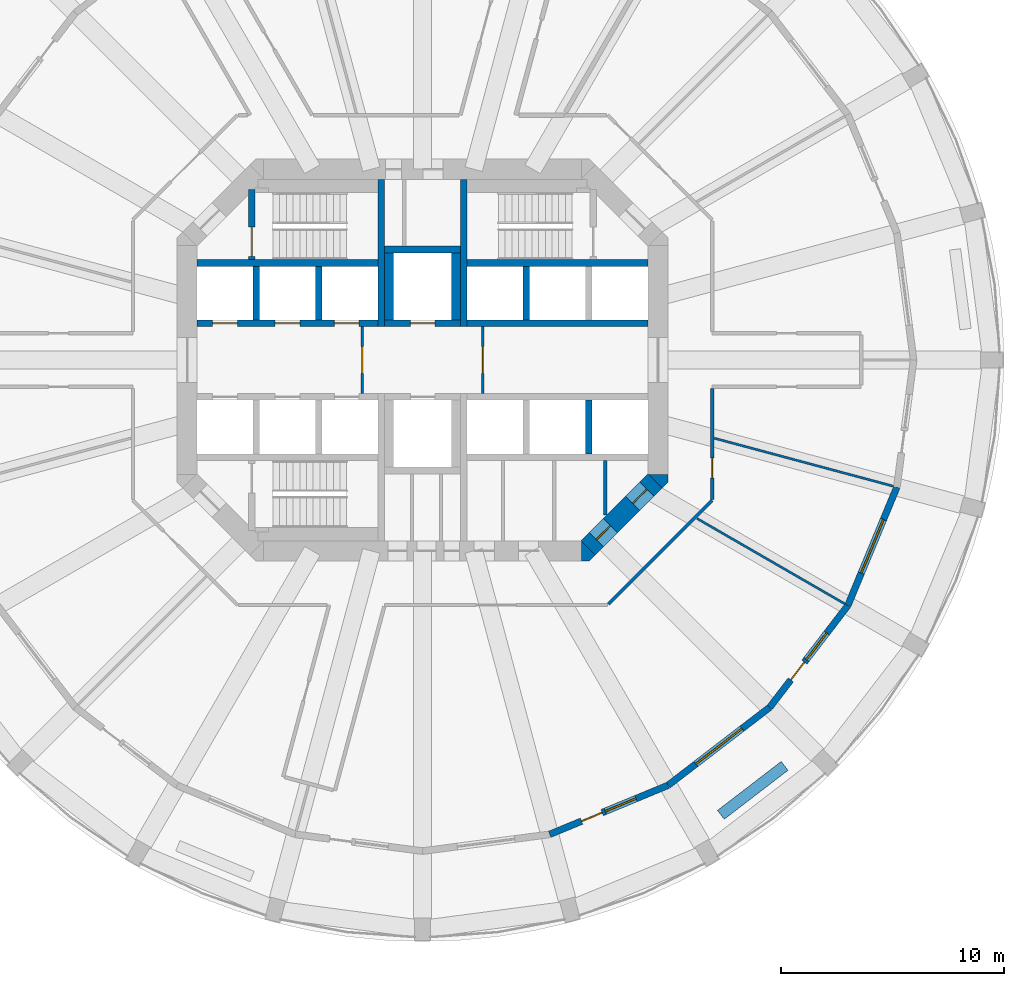
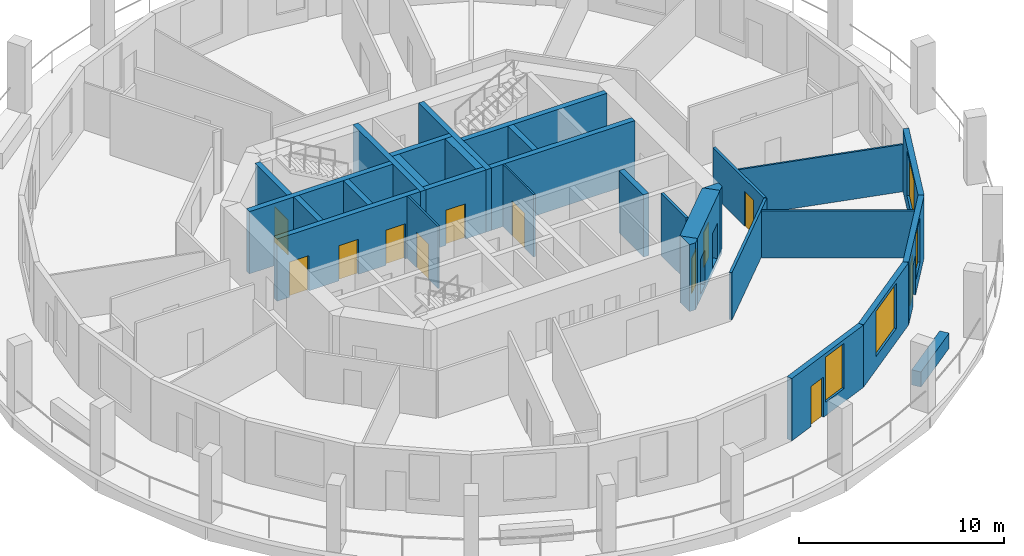
# One storey, part 4 of 9: 30 walls, 12 doors, 4 windows, 16 openings.
"""IFC4 building model written with IfcOpenShell, lengths in metres."""

from ifc_helpers import new_model, si_unit, direction, frame, frame_2d, origin, place, context, subcontext, project, spatial, polyline, rectangle, outline, extrude, material, layer, layer_set, type_object, element, fill, save


model = new_model("IFC4")

# Units and contexts
model_context = context("Model", 3, precision=1e-05, world=origin(), true_north=direction((0.0, 1.0)))
body_context = subcontext(model_context, "Body", "Model", "MODEL_VIEW")
ifc_project = project(units=[si_unit("LENGTHUNIT", "METRE"), si_unit("AREAUNIT", "SQUARE_METRE"), si_unit("VOLUMEUNIT", "CUBIC_METRE"), si_unit("PLANEANGLEUNIT", "RADIAN"), si_unit("MASSUNIT", "GRAM", prefix="KILO")], contexts=[model_context])

# Site, building, storey
site_placement = place(None, origin())
site = spatial("IfcSite", under=ifc_project, at=site_placement, CompositionType="ELEMENT")
building_placement = place(site_placement, origin())
building = spatial("IfcBuilding", under=site, at=building_placement, Name="Torre Triforio", CompositionType="ELEMENT")
storey_placement = place(building_placement, frame((0.0, 0.0, 106.60009765625)))
storey = spatial("IfcBuildingStorey", under=building, at=storey_placement, Name="L23", CompositionType="ELEMENT", Elevation=106.60009765625)

# Walls
ifc_material_1 = material(Name="Concrete C60", Category="concrete")
ifc_layer_1 = layer(ifc_material_1, 0.300048828125)
ifc_layer_set_1 = layer_set([ifc_layer_1], Name="Concrete C60")
wall_type_1 = type_object("IfcWallType", Name="Core wall 300 mm C60 EI 120", PredefinedType="SHEAR", material=ifc_layer_set_1)
for number, where, z_axis, x_axis, name in (
    (1, (-1.85009765625, 1.5, 0.0), (0.0, 0.0, 1.0), (0.0, 1.0, 0.0), "Core wall"),
    (2, (1.85009765625, 1.5, 0.0), (0.0, 0.0, 1.0), (0.0, 1.0, 0.0), "Core wall"),
):
    element("IfcWall", number, at=place(storey_placement, frame(where, z_axis=z_axis, x_axis=x_axis)), inside=storey, type_object=wall_type_1, Name=name, PredefinedType="SHEAR", context=body_context, shape_type="SweptSolid", body=[
        extrude(rectangle(XDim=6.60009765625, YDim=0.300048828125, at=frame_2d((3.300048828125, 0.0))), origin(), (0.0, 0.0, 1.0), 3.719970703125),
    ])

# Wall, openings, doors
ifc_layer_2 = layer(ifc_material_1, 0.89990234375)
ifc_layer_set_2 = layer_set([ifc_layer_2], Name="Concrete C60")
wall_type_2 = type_object("IfcWallType", Name="Core wall 900 mm C60 EI 120", PredefinedType="SHEAR", material=ifc_layer_set_2)
wall_1_placement = place(storey_placement, frame((10.418212890625, -5.418212890625, -0.280029296875), z_axis=(0.0, 0.0, 1.0), x_axis=(-0.707106781187, -0.707106781187, 0.0)))
wall_1 = element("IfcWall", 3, at=wall_1_placement, inside=storey, type_object=wall_type_2, Name="Core wall", PredefinedType="SHEAR", context=body_context, shape_type="SweptSolid", body=[
    extrude(rectangle(XDim=4.24267578125, YDim=0.89990234375, at=frame_2d((2.121337890625, 0.0))), origin(), (0.0, 0.0, 1.0), 4.0),
])
opening_1_placement = place(wall_1_placement, frame((2.82275390625, 0.0, 0.280029296875)))
opening_1 = element("IfcOpeningElement", 4, at=opening_1_placement, cuts=wall_1, Name="Opening SE-03", PredefinedType="OPENING", context=body_context, shape_type="SweptSolid", body=[
    extrude(rectangle(XDim=0.89990234375, YDim=2.10009765625, at=frame_2d((0.449951171875, 1.050048828125))), frame((0.0, 0.4599609375, 0.0), z_axis=(0.0, -1.0, 0.0), x_axis=(1.0, 0.0, 0.0)), (0.0, 0.0, 1.0), 0.919921875),
])
opening_2_placement = place(wall_1_placement, frame((0.52001953125, 0.0, 0.280029296875)))
opening_2 = element("IfcOpeningElement", 5, at=opening_2_placement, cuts=wall_1, Name="Opening SE-04", PredefinedType="OPENING", context=body_context, shape_type="SweptSolid", body=[
    extrude(rectangle(XDim=0.89990234375, YDim=2.10009765625, at=frame_2d((0.449951171875, 1.050048828125))), frame((0.0, 0.4599609375, 0.0), z_axis=(0.0, -1.0, 0.0), x_axis=(1.0, 0.0, 0.0)), (0.0, 0.0, 1.0), 0.919921875),
])
ifc_material_2 = material(Name="Hollow metal fire door leaf")
door_type_1 = type_object("IfcDoorType", Name="Room door 900 x 2100 EI 60", OperationType="NOTDEFINED", PredefinedType="DOOR", material=ifc_material_2)
door_1_placement = place(opening_1_placement, origin())
door_1 = element("IfcDoor", 6, at=door_1_placement, inside=storey, type_object=door_type_1, Name="Core door SE-03", OperationType="SINGLE_SWING_RIGHT", OverallHeight=2.10009765625, OverallWidth=0.89990234375, PredefinedType="DOOR", context=body_context, shape_type="SweptSolid", body=[
    extrude(rectangle(XDim=0.89990234375, YDim=2.10009765625, at=frame_2d((0.449951171875, 1.050048828125))), frame((0.0, 0.02490234375, 0.0), z_axis=(0.0, -1.0, 0.0), x_axis=(1.0, 0.0, 0.0)), (0.0, 0.0, 1.0), 0.050048828125),
])
fill(opening_1, door_1)
door_2_placement = place(opening_2_placement, origin())
door_2 = element("IfcDoor", 7, at=door_2_placement, inside=storey, type_object=door_type_1, Name="Core door SE-04", OperationType="SINGLE_SWING_LEFT", OverallHeight=2.10009765625, OverallWidth=0.89990234375, PredefinedType="DOOR", context=body_context, shape_type="SweptSolid", body=[
    extrude(rectangle(XDim=0.89990234375, YDim=2.10009765625, at=frame_2d((0.449951171875, 1.050048828125))), frame((0.0, 0.02490234375, 0.0), z_axis=(0.0, -1.0, 0.0), x_axis=(1.0, 0.0, 0.0)), (0.0, 0.0, 1.0), 0.050048828125),
])
fill(opening_2, door_2)

# Walls
wall_2_placement = place(storey_placement, frame((0.0, 0.0, -0.280029296875)))
element("IfcWall", 8, at=wall_2_placement, inside=storey, type_object=wall_type_2, Name="Core wall", PredefinedType="SHEAR", context=body_context, shape_type="SweptSolid", body=[
    extrude(outline(polyline([(7.472900390625, -9.0), (7.1298828125, -9.0), (7.1298828125, -8.1298828125), (7.736328125, -8.736328125), (7.472900390625, -9.0)])), origin(), (0.0, 0.0, 1.0), 4.0),
])
wall_3_placement = place(storey_placement, frame((0.0, 0.0, -0.280029296875)))
element("IfcWall", 9, at=wall_3_placement, inside=storey, type_object=wall_type_2, Name="Core wall", PredefinedType="SHEAR", context=body_context, shape_type="SweptSolid", body=[
    extrude(outline(polyline([(11.0, -5.472900390625), (10.736328125, -5.736328125), (10.1298828125, -5.1298828125), (11.0, -5.1298828125), (11.0, -5.472900390625)])), origin(), (0.0, 0.0, 1.0), 4.0),
])

# Wall, opening, door
ifc_material_3 = material(Name="Plasterboard on metal studs")
ifc_layer_3 = layer(ifc_material_3, 0.14990234375)
ifc_layer_set_3 = layer_set([ifc_layer_3], Name="Plasterboard on metal studs")
wall_type_3 = type_object("IfcWallType", Name="Corridor and tenancy wall 150 mm EI 60", PredefinedType="PARTITIONING", material=ifc_layer_set_3)
wall_4_placement = place(storey_placement, frame((12.97509765625, -1.27490234375, 0.0), z_axis=(0.0, 0.0, 1.0), x_axis=(0.0, -1.0, 0.0)))
wall_4 = element("IfcWall", 10, at=wall_4_placement, inside=storey, type_object=wall_type_3, Name="Partition 24", PredefinedType="PARTITIONING", context=body_context, shape_type="SweptSolid", body=[
    extrude(rectangle(XDim=4.96337890625, YDim=0.14990234375, at=frame_2d((2.481689453125, 0.0))), origin(), (0.0, 0.0, 1.0), 2.81982421875),
])
opening_3_placement = place(wall_4_placement, frame((3.107421875, 0.0, 0.0)))
opening_3 = element("IfcOpeningElement", 11, at=opening_3_placement, cuts=wall_4, Name="Opening N7-07", PredefinedType="OPENING", context=body_context, shape_type="SweptSolid", body=[
    extrude(rectangle(XDim=0.89990234375, YDim=2.10009765625, at=frame_2d((0.449951171875, 1.050048828125))), frame((0.0, 0.0849609375, 0.0), z_axis=(0.0, -1.0, 0.0), x_axis=(1.0, 0.0, 0.0)), (0.0, 0.0, 1.0), 0.169921875),
])
ifc_material_4 = material(Name="Timber", Category="wood")
door_type_2 = type_object("IfcDoorType", Name="Door 900 x 2100 single leaf EI 30", OperationType="NOTDEFINED", PredefinedType="DOOR", material=ifc_material_4)
door_3_placement = place(opening_3_placement, origin())
door_3 = element("IfcDoor", 12, at=door_3_placement, inside=storey, type_object=door_type_2, Name="Door N7-07", OperationType="SINGLE_SWING_LEFT", OverallHeight=2.10009765625, OverallWidth=0.89990234375, PredefinedType="DOOR", context=body_context, shape_type="SweptSolid", body=[
    extrude(rectangle(XDim=0.89990234375, YDim=2.10009765625, at=frame_2d((0.449951171875, 1.050048828125))), frame((0.0, 0.02490234375, 0.0), z_axis=(0.0, -1.0, 0.0), x_axis=(1.0, 0.0, 0.0)), (0.0, 0.0, 1.0), 0.050048828125),
])
fill(opening_3, door_3)

# Wall
wall_5_placement = place(storey_placement, frame((12.97509765625, -6.291015625, 0.0), z_axis=(0.0, 0.0, 1.0), x_axis=(-0.707125355289, -0.707088206597, 0.0)))
element("IfcWall", 13, at=wall_5_placement, inside=storey, type_object=wall_type_3, Name="Partition 25", PredefinedType="PARTITIONING", context=body_context, shape_type="SweptSolid", body=[
    extrude(rectangle(XDim=6.572021484375, YDim=0.14990234375, at=frame_2d((3.2861328125, 0.0))), origin(), (0.0, 0.0, 1.0), 2.81982421875),
])

# Wall, opening, door
ifc_material_5 = material(Name="Block and board partition")
ifc_layer_4 = layer(ifc_material_5, 0.10009765625)
ifc_layer_set_4 = layer_set([ifc_layer_4], Name="Block and board partition")
wall_type_4 = type_object("IfcWallType", Name="Partition 100 mm EI 120", PredefinedType="PARTITIONING", material=ifc_layer_set_4)
wall_6_placement = place(storey_placement, frame((-2.699951171875, -1.5, 0.0), z_axis=(0.0, 0.0, 1.0), x_axis=(0.0, 1.0, 0.0)))
wall_6 = element("IfcWall", 14, at=wall_6_placement, inside=storey, type_object=wall_type_4, Name="Partition", PredefinedType="PARTITIONING", context=body_context, shape_type="SweptSolid", body=[
    extrude(rectangle(XDim=3.0, YDim=0.10009765625, at=frame_2d((1.5, 0.0))), origin(), (0.0, 0.0, 1.0), 3.719970703125),
])
opening_4_placement = place(wall_6_placement, frame((0.89990234375, 0.0, 0.0)))
opening_4 = element("IfcOpeningElement", 15, at=opening_4_placement, cuts=wall_6, Name="Opening FF-W", PredefinedType="OPENING", context=body_context, shape_type="SweptSolid", body=[
    extrude(rectangle(XDim=1.199951171875, YDim=2.10009765625, at=frame_2d((0.60009765625, 1.050048828125))), frame((0.0, 0.06005859375, 0.0), z_axis=(0.0, -1.0, 0.0), x_axis=(1.0, 0.0, 0.0)), (0.0, 0.0, 1.0), 0.1201171875),
])
door_type_3 = type_object("IfcDoorType", Name="Fire-fighting lobby door 1200 x 2100 EI 60", OperationType="NOTDEFINED", PredefinedType="DOOR", material=ifc_material_2)
door_4_placement = place(opening_4_placement, origin())
door_4 = element("IfcDoor", 16, at=door_4_placement, inside=storey, type_object=door_type_3, Name="Core door FF-W", OperationType="SINGLE_SWING_RIGHT", OverallHeight=2.10009765625, OverallWidth=1.199951171875, PredefinedType="DOOR", context=body_context, shape_type="SweptSolid", body=[
    extrude(rectangle(XDim=1.199951171875, YDim=2.10009765625, at=frame_2d((0.60009765625, 1.050048828125))), frame((0.0, 0.02490234375, 0.0), z_axis=(0.0, -1.0, 0.0), x_axis=(1.0, 0.0, 0.0)), (0.0, 0.0, 1.0), 0.050048828125),
])
fill(opening_4, door_4)

wall_7_placement = place(storey_placement, frame((2.699951171875, -1.5, 0.0), z_axis=(0.0, 0.0, 1.0), x_axis=(0.0, 1.0, 0.0)))
wall_7 = element("IfcWall", 17, at=wall_7_placement, inside=storey, type_object=wall_type_4, Name="Partition", PredefinedType="PARTITIONING", context=body_context, shape_type="SweptSolid", body=[
    extrude(rectangle(XDim=3.0, YDim=0.10009765625, at=frame_2d((1.5, 0.0))), origin(), (0.0, 0.0, 1.0), 3.719970703125),
])
opening_5_placement = place(wall_7_placement, frame((0.89990234375, 0.0, 0.0)))
opening_5 = element("IfcOpeningElement", 18, at=opening_5_placement, cuts=wall_7, Name="Opening FF-E", PredefinedType="OPENING", context=body_context, shape_type="SweptSolid", body=[
    extrude(rectangle(XDim=1.199951171875, YDim=2.10009765625, at=frame_2d((0.60009765625, 1.050048828125))), frame((0.0, 0.06005859375, 0.0), z_axis=(0.0, -1.0, 0.0), x_axis=(1.0, 0.0, 0.0)), (0.0, 0.0, 1.0), 0.1201171875),
])
door_5_placement = place(opening_5_placement, origin())
door_5 = element("IfcDoor", 19, at=door_5_placement, inside=storey, type_object=door_type_3, Name="Core door FF-E", OperationType="SINGLE_SWING_RIGHT", OverallHeight=2.10009765625, OverallWidth=1.199951171875, PredefinedType="DOOR", context=body_context, shape_type="SweptSolid", body=[
    extrude(rectangle(XDim=1.199951171875, YDim=2.10009765625, at=frame_2d((0.60009765625, 1.050048828125))), frame((0.0, 0.02490234375, 0.0), z_axis=(0.0, -1.0, 0.0), x_axis=(1.0, 0.0, 0.0)), (0.0, 0.0, 1.0), 0.050048828125),
])
fill(opening_5, door_5)

# Walls
ifc_layer_5 = layer(ifc_material_3, 0.10009765625)
ifc_layer_set_5 = layer_set([ifc_layer_5], Name="Plasterboard on metal studs")
wall_type_5 = type_object("IfcWallType", Name="Partition 100 mm board on metal studs", PredefinedType="PARTITIONING", material=ifc_layer_set_5)
wall_8_placement = place(storey_placement, frame((12.294189453125, -7.097900390625, 0.0), z_axis=(0.0, 0.0, 1.0), x_axis=(0.866010520791, -0.500025777215, 0.0)))
element("IfcWall", 20, at=wall_8_placement, inside=storey, type_object=wall_type_5, Name="Partition 43", PredefinedType="PARTITIONING", context=body_context, shape_type="SweptSolid", body=[
    extrude(rectangle(XDim=7.640625, YDim=0.10009765625, at=frame_2d((3.8203125, 0.0))), origin(), (0.0, 0.0, 1.0), 2.81982421875),
])
wall_9_placement = place(storey_placement, frame((13.064208984375, -3.50048828125, 0.0), z_axis=(0.0, 0.0, 1.0), x_axis=(0.965920254223, -0.258839839442, 0.0)))
element("IfcWall", 21, at=wall_9_placement, inside=storey, type_object=wall_type_5, Name="Partition 44", PredefinedType="PARTITIONING", context=body_context, shape_type="SweptSolid", body=[
    extrude(rectangle(XDim=8.3115234375, YDim=0.10009765625, at=frame_2d((4.15576171875, 0.0))), origin(), (0.0, 0.0, 1.0), 2.81982421875),
])
ifc_layer_6 = layer(ifc_material_5, 0.14990234375)
ifc_layer_set_6 = layer_set([ifc_layer_6], Name="Block and board partition")
wall_type_6 = type_object("IfcWallType", Name="Partition 150 mm", PredefinedType="PARTITIONING", material=ifc_layer_set_6)
wall_10_placement = place(storey_placement, frame((8.18896484375, -6.93603515625, 0.0), z_axis=(0.0, 0.0, 1.0), x_axis=(0.0, 1.0, 0.0)))
element("IfcWall", 22, at=wall_10_placement, inside=storey, type_object=wall_type_6, Name="Partition", PredefinedType="PARTITIONING", context=body_context, shape_type="SweptSolid", body=[
    extrude(rectangle(XDim=2.43603515625, YDim=0.14990234375, at=frame_2d((1.218017578125, 0.0))), origin(), (0.0, 0.0, 1.0), 3.719970703125),
])
ifc_material_6 = material(Name="Limestone cladding", Category="masonry")
ifc_layer_7 = layer(ifc_material_6, 0.10009765625)
ifc_material_7 = material(Name="Concrete C40", Category="concrete")
ifc_layer_8 = layer(ifc_material_7, 0.39990234375)
ifc_layer_set_7 = layer_set([ifc_layer_7, ifc_layer_8], Name="Limestone cladding / Concrete C40")
wall_type_7 = type_object("IfcWallType", Name="Planter wall 500", PredefinedType="PARAPET", material=ifc_layer_set_7)
wall_11_placement = place(storey_placement, frame((13.364990234375, -20.374267578125, 0.0), z_axis=(0.0, 0.0, 1.0), x_axis=(0.793326845617, 0.608795955984, 0.0)))
element("IfcWall", 23, at=wall_11_placement, inside=storey, type_object=wall_type_7, Name="Planter L23 bay 21", PredefinedType="PARAPET", context=body_context, shape_type="SweptSolid", body=[
    extrude(rectangle(XDim=3.599853515625, YDim=0.5, at=frame_2d((1.7998046875, 0.0))), origin(), (0.0, 0.0, 1.0), 0.89990234375),
])
ifc_layer_9 = layer(ifc_material_1, 0.300048828125)
ifc_layer_set_8 = layer_set([ifc_layer_9], Name="Concrete C60")
wall_type_8 = type_object("IfcWallType", Name="Shaft wall 300 mm C60 EI 120", PredefinedType="SOLIDWALL", material=ifc_layer_set_8)
for number, where, z_axis, x_axis, name in (
    (24, (-10.10009765625, 4.35009765625, 0.0), (0.0, 0.0, 1.0), (1.0, 0.0, 0.0), "Shaft wall"),
    (25, (2.0, 4.35009765625, 0.0), (0.0, 0.0, 1.0), (1.0, 0.0, 0.0), "Shaft wall"),
):
    element("IfcWall", number, at=place(storey_placement, frame(where, z_axis=z_axis, x_axis=x_axis)), inside=storey, type_object=wall_type_8, Name=name, PredefinedType="SOLIDWALL", context=body_context, shape_type="SweptSolid", body=[
        extrude(rectangle(XDim=8.10009765625, YDim=0.300048828125, at=frame_2d((4.050048828125, 0.0))), origin(), (0.0, 0.0, 1.0), 3.719970703125),
    ])

# Wall, openings, doors
wall_12_placement = place(storey_placement, frame((-10.10009765625, 1.64990234375, 0.0), z_axis=(0.0, 0.0, 1.0), x_axis=(1.0, 0.0, 0.0)))
wall_12 = element("IfcWall", 26, at=wall_12_placement, inside=storey, type_object=wall_type_8, Name="Shaft wall", PredefinedType="SOLIDWALL", context=body_context, shape_type="SweptSolid", body=[
    extrude(rectangle(XDim=8.10009765625, YDim=0.300048828125, at=frame_2d((4.050048828125, 0.0))), origin(), (0.0, 0.0, 1.0), 3.719970703125),
])
opening_6_placement = place(wall_12_placement, frame((0.699951171875, 0.0, 0.0)))
opening_6 = element("IfcOpeningElement", 27, at=opening_6_placement, cuts=wall_12, Name="Opening LD", PredefinedType="OPENING", context=body_context, shape_type="SweptSolid", body=[
    extrude(rectangle(XDim=1.10009765625, YDim=2.10009765625, at=frame_2d((0.550048828125, 1.050048828125))), frame((0.0, 0.159912109375, 0.0), z_axis=(0.0, -1.0, 0.0), x_axis=(1.0, 0.0, 0.0)), (0.0, 0.0, 1.0), 0.320068359375),
])
opening_7_placement = place(wall_12_placement, frame((3.5, 0.0, 0.0)))
opening_7 = element("IfcOpeningElement", 28, at=opening_7_placement, cuts=wall_12, Name="Opening LD", PredefinedType="OPENING", context=body_context, shape_type="SweptSolid", body=[
    extrude(rectangle(XDim=1.10009765625, YDim=2.10009765625, at=frame_2d((0.550048828125, 1.050048828125))), frame((0.0, 0.159912109375, 0.0), z_axis=(0.0, -1.0, 0.0), x_axis=(1.0, 0.0, 0.0)), (0.0, 0.0, 1.0), 0.320068359375),
])
opening_8_placement = place(wall_12_placement, frame((6.14990234375, 0.0, 0.0)))
opening_8 = element("IfcOpeningElement", 29, at=opening_8_placement, cuts=wall_12, Name="Opening LD", PredefinedType="OPENING", context=body_context, shape_type="SweptSolid", body=[
    extrude(rectangle(XDim=1.10009765625, YDim=2.10009765625, at=frame_2d((0.550048828125, 1.050048828125))), frame((0.0, 0.159912109375, 0.0), z_axis=(0.0, -1.0, 0.0), x_axis=(1.0, 0.0, 0.0)), (0.0, 0.0, 1.0), 0.320068359375),
])
door_type_4 = type_object("IfcDoorType", Name="Landing door 1100 x 2100 EI 60", OperationType="DOUBLE_DOOR_SLIDING", PredefinedType="DOOR", material=ifc_material_2)
door_6_placement = place(opening_6_placement, origin())
door_6 = element("IfcDoor", 30, at=door_6_placement, inside=storey, type_object=door_type_4, Name="Landing door LR1", OperationType="DOUBLE_DOOR_SLIDING", OverallHeight=2.10009765625, OverallWidth=1.10009765625, PredefinedType="DOOR", context=body_context, shape_type="SweptSolid", body=[
    extrude(rectangle(XDim=1.10009765625, YDim=2.10009765625, at=frame_2d((0.550048828125, 1.050048828125))), frame((0.0, 0.02490234375, 0.0), z_axis=(0.0, -1.0, 0.0), x_axis=(1.0, 0.0, 0.0)), (0.0, 0.0, 1.0), 0.050048828125),
])
fill(opening_6, door_6)
door_7_placement = place(opening_7_placement, origin())
door_7 = element("IfcDoor", 31, at=door_7_placement, inside=storey, type_object=door_type_4, Name="Landing door LR2", OperationType="DOUBLE_DOOR_SLIDING", OverallHeight=2.10009765625, OverallWidth=1.10009765625, PredefinedType="DOOR", context=body_context, shape_type="SweptSolid", body=[
    extrude(rectangle(XDim=1.10009765625, YDim=2.10009765625, at=frame_2d((0.550048828125, 1.050048828125))), frame((0.0, 0.02490234375, 0.0), z_axis=(0.0, -1.0, 0.0), x_axis=(1.0, 0.0, 0.0)), (0.0, 0.0, 1.0), 0.050048828125),
])
fill(opening_7, door_7)
door_8_placement = place(opening_8_placement, origin())
door_8 = element("IfcDoor", 32, at=door_8_placement, inside=storey, type_object=door_type_4, Name="Landing door LR3", OperationType="DOUBLE_DOOR_SLIDING", OverallHeight=2.10009765625, OverallWidth=1.10009765625, PredefinedType="DOOR", context=body_context, shape_type="SweptSolid", body=[
    extrude(rectangle(XDim=1.10009765625, YDim=2.10009765625, at=frame_2d((0.550048828125, 1.050048828125))), frame((0.0, 0.02490234375, 0.0), z_axis=(0.0, -1.0, 0.0), x_axis=(1.0, 0.0, 0.0)), (0.0, 0.0, 1.0), 0.050048828125),
])
fill(opening_8, door_8)

# Walls
wall_13_placement = place(storey_placement, frame((2.0, 1.64990234375, 0.0), z_axis=(0.0, 0.0, 1.0), x_axis=(1.0, 0.0, 0.0)))
element("IfcWall", 33, at=wall_13_placement, inside=storey, type_object=wall_type_8, Name="Shaft wall", PredefinedType="SOLIDWALL", context=body_context, shape_type="SweptSolid", body=[
    extrude(rectangle(XDim=8.10009765625, YDim=0.300048828125, at=frame_2d((4.050048828125, 0.0))), origin(), (0.0, 0.0, 1.0), 3.719970703125),
])
for number, where, z_axis, x_axis, name in (
    (34, (-7.449951171875, 1.800048828125, 0.0), (0.0, 0.0, 1.0), (0.0, 1.0, 0.0), "Shaft wall"),
    (35, (-4.64990234375, 1.800048828125, 0.0), (0.0, 0.0, 1.0), (0.0, 1.0, 0.0), "Shaft wall"),
    (36, (4.64990234375, 1.800048828125, 0.0), (0.0, 0.0, 1.0), (0.0, 1.0, 0.0), "Shaft wall"),
    (37, (7.449951171875, -4.199951171875, 0.0), (0.0, 0.0, 1.0), (0.0, 1.0, 0.0), "Shaft wall"),
):
    element("IfcWall", number, at=place(storey_placement, frame(where, z_axis=z_axis, x_axis=x_axis)), inside=storey, type_object=wall_type_8, Name=name, PredefinedType="SOLIDWALL", context=body_context, shape_type="SweptSolid", body=[
        extrude(rectangle(XDim=2.39990234375, YDim=0.300048828125, at=frame_2d((1.199951171875, 0.0))), origin(), (0.0, 0.0, 1.0), 3.719970703125),
    ])

# Wall, opening, door
wall_14_placement = place(storey_placement, frame((-1.699951171875, 1.64990234375, 0.0), z_axis=(0.0, 0.0, 1.0), x_axis=(1.0, 0.0, 0.0)))
wall_14 = element("IfcWall", 38, at=wall_14_placement, inside=storey, type_object=wall_type_8, Name="Shaft wall", PredefinedType="SOLIDWALL", context=body_context, shape_type="SweptSolid", body=[
    extrude(rectangle(XDim=3.39990234375, YDim=0.300048828125, at=frame_2d((1.699951171875, 0.0))), origin(), (0.0, 0.0, 1.0), 3.719970703125),
])
opening_9_placement = place(wall_14_placement, frame((1.14990234375, 0.0, 0.0)))
opening_9 = element("IfcOpeningElement", 39, at=opening_9_placement, cuts=wall_14, Name="Opening LD", PredefinedType="OPENING", context=body_context, shape_type="SweptSolid", body=[
    extrude(rectangle(XDim=1.10009765625, YDim=2.10009765625, at=frame_2d((0.550048828125, 1.050048828125))), frame((0.0, 0.159912109375, 0.0), z_axis=(0.0, -1.0, 0.0), x_axis=(1.0, 0.0, 0.0)), (0.0, 0.0, 1.0), 0.320068359375),
])
door_9_placement = place(opening_9_placement, origin())
door_9 = element("IfcDoor", 40, at=door_9_placement, inside=storey, type_object=door_type_4, Name="Landing door FFL1", OperationType="DOUBLE_DOOR_SLIDING", OverallHeight=2.10009765625, OverallWidth=1.10009765625, PredefinedType="DOOR", context=body_context, shape_type="SweptSolid", body=[
    extrude(rectangle(XDim=1.10009765625, YDim=2.10009765625, at=frame_2d((0.550048828125, 1.050048828125))), frame((0.0, 0.02490234375, 0.0), z_axis=(0.0, -1.0, 0.0), x_axis=(1.0, 0.0, 0.0)), (0.0, 0.0, 1.0), 0.050048828125),
])
fill(opening_9, door_9)

# Walls
wall_15_placement = place(storey_placement, frame((-1.699951171875, 4.949951171875, 0.0), z_axis=(0.0, 0.0, 1.0), x_axis=(1.0, 0.0, 0.0)))
element("IfcWall", 41, at=wall_15_placement, inside=storey, type_object=wall_type_8, Name="Shaft wall", PredefinedType="SOLIDWALL", context=body_context, shape_type="SweptSolid", body=[
    extrude(rectangle(XDim=3.39990234375, YDim=0.300048828125, at=frame_2d((1.699951171875, 0.0))), origin(), (0.0, 0.0, 1.0), 3.719970703125),
])
ifc_layer_10 = layer(ifc_material_1, 0.39990234375)
ifc_layer_set_9 = layer_set([ifc_layer_10], Name="Concrete C60")
wall_type_9 = type_object("IfcWallType", Name="Shaft wall 400 mm C60 EI 120", PredefinedType="SOLIDWALL", material=ifc_layer_set_9)
for number, where, z_axis, x_axis, name in (
    (42, (-1.5, 1.800048828125, 0.0), (0.0, 0.0, 1.0), (0.0, 1.0, 0.0), "Shaft wall"),
    (43, (1.5, 1.800048828125, 0.0), (0.0, 0.0, 1.0), (0.0, 1.0, 0.0), "Shaft wall"),
):
    element("IfcWall", number, at=place(storey_placement, frame(where, z_axis=z_axis, x_axis=x_axis)), inside=storey, type_object=wall_type_9, Name=name, PredefinedType="SOLIDWALL", context=body_context, shape_type="SweptSolid", body=[
        extrude(rectangle(XDim=3.0, YDim=0.39990234375, at=frame_2d((1.5, 0.0))), origin(), (0.0, 0.0, 1.0), 3.719970703125),
    ])

# Wall, opening, door
ifc_layer_11 = layer(ifc_material_1, 0.300048828125)
ifc_layer_set_10 = layer_set([ifc_layer_11], Name="Concrete C60")
wall_type_10 = type_object("IfcWallType", Name="Stair wall 300 mm C60 EI 120", PredefinedType="SHEAR", material=ifc_layer_set_10)
wall_16_placement = place(storey_placement, frame((-7.64990234375, 4.5, 0.0), z_axis=(0.0, 0.0, 1.0), x_axis=(0.0, 1.0, 0.0)))
wall_16 = element("IfcWall", 44, at=wall_16_placement, inside=storey, type_object=wall_type_10, Name="Stair wall", PredefinedType="SHEAR", context=body_context, shape_type="SweptSolid", body=[
    extrude(rectangle(XDim=3.139892578125, YDim=0.300048828125, at=frame_2d((1.56982421875, 0.0))), origin(), (0.0, 0.0, 1.0), 3.719970703125),
])
opening_10_placement = place(wall_16_placement, frame((0.139892578125, 0.0, 0.0)))
opening_10 = element("IfcOpeningElement", 45, at=opening_10_placement, cuts=wall_16, Name="Opening ST1-STA", PredefinedType="OPENING", context=body_context, shape_type="SweptSolid", body=[
    extrude(rectangle(XDim=1.320068359375, YDim=2.10009765625, at=frame_2d((0.66015625, 1.050048828125))), frame((0.0, 0.159912109375, 0.0), z_axis=(0.0, -1.0, 0.0), x_axis=(1.0, 0.0, 0.0)), (0.0, 0.0, 1.0), 0.320068359375),
])
door_type_5 = type_object("IfcDoorType", Name="Stair door 1320 x 2100 EI 90", OperationType="DOUBLE_DOOR_SINGLE_SWING", PredefinedType="DOOR", material=ifc_material_2)
door_10_placement = place(opening_10_placement, origin())
door_10 = element("IfcDoor", 46, at=door_10_placement, inside=storey, type_object=door_type_5, Name="Core door ST1-ST", OperationType="DOUBLE_DOOR_SINGLE_SWING", OverallHeight=2.10009765625, OverallWidth=1.320068359375, PredefinedType="DOOR", context=body_context, shape_type="SweptSolid", body=[
    extrude(rectangle(XDim=1.320068359375, YDim=2.10009765625, at=frame_2d((0.66015625, 1.050048828125))), frame((0.0, 0.02490234375, 0.0), z_axis=(0.0, -1.0, 0.0), x_axis=(1.0, 0.0, 0.0)), (0.0, 0.0, 1.0), 0.050048828125),
])
fill(opening_10, door_10)

# Wall, openings, door, window
ifc_layer_12 = layer(ifc_material_6, 0.10009765625)
ifc_layer_13 = layer(ifc_material_7, 0.199951171875)
ifc_layer_set_11 = layer_set([ifc_layer_12, ifc_layer_13], Name="Limestone cladding / Concrete C40")
wall_type_11 = type_object("IfcWallType", Name="Stone-faced composite wall 300", PredefinedType="STANDARD", material=ifc_layer_set_11)
wall_17_placement = place(storey_placement, frame((5.694091796875, -21.25048828125, 0.0), z_axis=(0.0, 0.0, 1.0), x_axis=(0.923866055759, 0.382715966503, 0.0)))
wall_17 = element("IfcWall", 47, at=wall_17_placement, inside=storey, type_object=wall_type_11, Name="External wall L23 bay 20", PredefinedType="STANDARD", context=body_context, shape_type="SweptSolid", body=[
    extrude(rectangle(XDim=5.7431640625, YDim=0.300048828125, at=frame_2d((2.87158203125, 0.0))), origin(), (0.0, 0.0, 1.0), 3.719970703125),
])
opening_11_placement = place(wall_17_placement, frame((1.546630859375, 0.0, 0.0)))
opening_11 = element("IfcOpeningElement", 48, at=opening_11_placement, cuts=wall_17, Name="Opening N7-D20", PredefinedType="OPENING", context=body_context, shape_type="SweptSolid", body=[
    extrude(rectangle(XDim=1.0, YDim=2.39990234375, at=frame_2d((0.5, 1.199951171875))), frame((0.0, 0.159912109375, 0.0), z_axis=(0.0, -1.0, 0.0), x_axis=(1.0, 0.0, 0.0)), (0.0, 0.0, 1.0), 0.320068359375),
])
opening_12_placement = place(wall_17_placement, frame((2.696533203125, 0.0, 0.800048828125)))
opening_12 = element("IfcOpeningElement", 49, at=opening_12_placement, cuts=wall_17, Name="Opening N7-W20A", PredefinedType="OPENING", context=body_context, shape_type="SweptSolid", body=[
    extrude(rectangle(XDim=1.5, YDim=2.699951171875, at=frame_2d((0.75, 1.35009765625))), frame((0.0, 0.159912109375, 0.0), z_axis=(0.0, -1.0, 0.0), x_axis=(1.0, 0.0, 0.0)), (0.0, 0.0, 1.0), 0.320068359375),
])
ifc_material_8 = material(Name="Aluminium frame with clear double glazing", Category="aluminium")
door_type_6 = type_object("IfcDoorType", Name="Loggia door 1000 x 2400", OperationType="NOTDEFINED", PredefinedType="DOOR", material=ifc_material_8)
door_11_placement = place(opening_11_placement, origin())
door_11 = element("IfcDoor", 50, at=door_11_placement, inside=storey, type_object=door_type_6, Name="Loggia door L23 bay 20", OperationType="SINGLE_SWING_LEFT", OverallHeight=2.39990234375, OverallWidth=1.0, PredefinedType="DOOR", context=body_context, shape_type="SweptSolid", body=[
    extrude(rectangle(XDim=1.0, YDim=2.39990234375, at=frame_2d((0.5, 1.199951171875))), frame((0.0, 0.02490234375, 0.0), z_axis=(0.0, -1.0, 0.0), x_axis=(1.0, 0.0, 0.0)), (0.0, 0.0, 1.0), 0.050048828125),
])
fill(opening_11, door_11)
window_type_1 = type_object("IfcWindowType", Name="Side window 1500 x 2700", PartitioningType="SINGLE_PANEL", PredefinedType="WINDOW", material=ifc_material_8)
window_1_placement = place(opening_12_placement, origin())
window_1 = element("IfcWindow", 51, at=window_1_placement, inside=storey, type_object=window_type_1, Name="Side window EWN12 L23 bay 20", OverallHeight=2.699951171875, OverallWidth=1.5, PartitioningType="SINGLE_PANEL", PredefinedType="WINDOW", context=body_context, shape_type="SweptSolid", body=[
    extrude(rectangle(XDim=1.5, YDim=2.699951171875, at=frame_2d((0.75, 1.35009765625))), frame((0.0, 0.030029296875, 0.0), z_axis=(0.0, -1.0, 0.0), x_axis=(1.0, 0.0, 0.0)), (0.0, 0.0, 1.0), 0.06005859375),
])
fill(opening_12, window_1)

# Wall, opening, window
wall_18_placement = place(storey_placement, frame((11.0, -19.052490234375, 0.0), z_axis=(0.0, 0.0, 1.0), x_axis=(0.793366142647, 0.608744744291, 0.0)))
wall_18 = element("IfcWall", 52, at=wall_18_placement, inside=storey, type_object=wall_type_11, Name="External wall L23 bay 21", PredefinedType="STANDARD", context=body_context, shape_type="SweptSolid", body=[
    extrude(rectangle(XDim=5.7431640625, YDim=0.300048828125, at=frame_2d((2.87158203125, 0.0))), origin(), (0.0, 0.0, 1.0), 3.719970703125),
])
opening_13_placement = place(wall_18_placement, frame((1.571533203125, 0.0, 0.800048828125)))
opening_13 = element("IfcOpeningElement", 53, at=opening_13_placement, cuts=wall_18, Name="Opening N7-W21", PredefinedType="OPENING", context=body_context, shape_type="SweptSolid", body=[
    extrude(rectangle(XDim=2.60009765625, YDim=2.699951171875, at=frame_2d((1.300048828125, 1.35009765625))), frame((0.0, 0.159912109375, 0.0), z_axis=(0.0, -1.0, 0.0), x_axis=(1.0, 0.0, 0.0)), (0.0, 0.0, 1.0), 0.320068359375),
])
window_type_2 = type_object("IfcWindowType", Name="Punched window 2600 x 2700", PartitioningType="DOUBLE_PANEL_VERTICAL", PredefinedType="WINDOW", material=ifc_material_8)
window_2_placement = place(opening_13_placement, origin())
window_2 = element("IfcWindow", 54, at=window_2_placement, inside=storey, type_object=window_type_2, Name="Window EWN2 L23 bay 21", OverallHeight=2.699951171875, OverallWidth=2.60009765625, PartitioningType="SINGLE_PANEL", PredefinedType="WINDOW", context=body_context, shape_type="SweptSolid", body=[
    extrude(rectangle(XDim=2.60009765625, YDim=2.699951171875, at=frame_2d((1.300048828125, 1.35009765625))), frame((0.0, 0.030029296875, 0.0), z_axis=(0.0, -1.0, 0.0), x_axis=(1.0, 0.0, 0.0)), (0.0, 0.0, 1.0), 0.06005859375),
])
fill(opening_13, window_2)

# Wall, openings, door, window
wall_19_placement = place(storey_placement, frame((15.556396484375, -15.556396484375, 0.0), z_axis=(0.0, 0.0, 1.0), x_axis=(0.608744744291, 0.793366142647, 0.0)))
wall_19 = element("IfcWall", 55, at=wall_19_placement, inside=storey, type_object=wall_type_11, Name="External wall L23 bay 22", PredefinedType="STANDARD", context=body_context, shape_type="SweptSolid", body=[
    extrude(rectangle(XDim=5.7431640625, YDim=0.300048828125, at=frame_2d((2.87158203125, 0.0))), origin(), (0.0, 0.0, 1.0), 3.719970703125),
])
opening_14_placement = place(wall_19_placement, frame((1.546630859375, 0.0, 0.0)))
opening_14 = element("IfcOpeningElement", 56, at=opening_14_placement, cuts=wall_19, Name="Opening N7-D22", PredefinedType="OPENING", context=body_context, shape_type="SweptSolid", body=[
    extrude(rectangle(XDim=1.0, YDim=2.39990234375, at=frame_2d((0.5, 1.199951171875))), frame((0.0, 0.159912109375, 0.0), z_axis=(0.0, -1.0, 0.0), x_axis=(1.0, 0.0, 0.0)), (0.0, 0.0, 1.0), 0.320068359375),
])
opening_15_placement = place(wall_19_placement, frame((2.696533203125, 0.0, 0.800048828125)))
opening_15 = element("IfcOpeningElement", 57, at=opening_15_placement, cuts=wall_19, Name="Opening N7-W22A", PredefinedType="OPENING", context=body_context, shape_type="SweptSolid", body=[
    extrude(rectangle(XDim=1.5, YDim=2.699951171875, at=frame_2d((0.75, 1.35009765625))), frame((0.0, 0.159912109375, 0.0), z_axis=(0.0, -1.0, 0.0), x_axis=(1.0, 0.0, 0.0)), (0.0, 0.0, 1.0), 0.320068359375),
])
door_12_placement = place(opening_14_placement, origin())
door_12 = element("IfcDoor", 58, at=door_12_placement, inside=storey, type_object=door_type_6, Name="Loggia door L23 bay 22", OperationType="SINGLE_SWING_LEFT", OverallHeight=2.39990234375, OverallWidth=1.0, PredefinedType="DOOR", context=body_context, shape_type="SweptSolid", body=[
    extrude(rectangle(XDim=1.0, YDim=2.39990234375, at=frame_2d((0.5, 1.199951171875))), frame((0.0, 0.02490234375, 0.0), z_axis=(0.0, -1.0, 0.0), x_axis=(1.0, 0.0, 0.0)), (0.0, 0.0, 1.0), 0.050048828125),
])
fill(opening_14, door_12)
window_3_placement = place(opening_15_placement, origin())
window_3 = element("IfcWindow", 59, at=window_3_placement, inside=storey, type_object=window_type_1, Name="Side window EWN12 L23 bay 22", OverallHeight=2.699951171875, OverallWidth=1.5, PartitioningType="SINGLE_PANEL", PredefinedType="WINDOW", context=body_context, shape_type="SweptSolid", body=[
    extrude(rectangle(XDim=1.5, YDim=2.699951171875, at=frame_2d((0.75, 1.35009765625))), frame((0.0, 0.030029296875, 0.0), z_axis=(0.0, -1.0, 0.0), x_axis=(1.0, 0.0, 0.0)), (0.0, 0.0, 1.0), 0.06005859375),
])
fill(opening_15, window_3)

# Wall, opening, window
wall_20_placement = place(storey_placement, frame((19.052490234375, -11.0, 0.0), z_axis=(0.0, 0.0, 1.0), x_axis=(0.382715966503, 0.923866055759, 0.0)))
wall_20 = element("IfcWall", 60, at=wall_20_placement, inside=storey, type_object=wall_type_11, Name="External wall L23 bay 23", PredefinedType="STANDARD", context=body_context, shape_type="SweptSolid", body=[
    extrude(rectangle(XDim=5.7431640625, YDim=0.300048828125, at=frame_2d((2.87158203125, 0.0))), origin(), (0.0, 0.0, 1.0), 3.719970703125),
])
opening_16_placement = place(wall_20_placement, frame((1.571533203125, 0.0, 0.800048828125)))
opening_16 = element("IfcOpeningElement", 61, at=opening_16_placement, cuts=wall_20, Name="Opening N7-W23", PredefinedType="OPENING", context=body_context, shape_type="SweptSolid", body=[
    extrude(rectangle(XDim=2.60009765625, YDim=2.699951171875, at=frame_2d((1.300048828125, 1.35009765625))), frame((0.0, 0.159912109375, 0.0), z_axis=(0.0, -1.0, 0.0), x_axis=(1.0, 0.0, 0.0)), (0.0, 0.0, 1.0), 0.320068359375),
])
window_4_placement = place(opening_16_placement, origin())
window_4 = element("IfcWindow", 62, at=window_4_placement, inside=storey, type_object=window_type_2, Name="Window EWN2 L23 bay 23", OverallHeight=2.699951171875, OverallWidth=2.60009765625, PartitioningType="SINGLE_PANEL", PredefinedType="WINDOW", context=body_context, shape_type="SweptSolid", body=[
    extrude(rectangle(XDim=2.60009765625, YDim=2.699951171875, at=frame_2d((1.300048828125, 1.35009765625))), frame((0.0, 0.030029296875, 0.0), z_axis=(0.0, -1.0, 0.0), x_axis=(1.0, 0.0, 0.0)), (0.0, 0.0, 1.0), 0.06005859375),
])
fill(opening_16, window_4)

save(model, "model.ifc")
